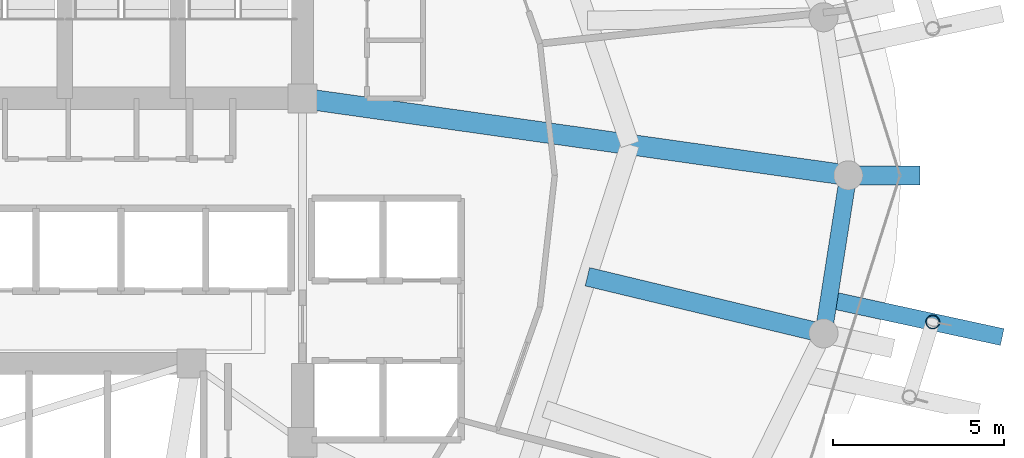
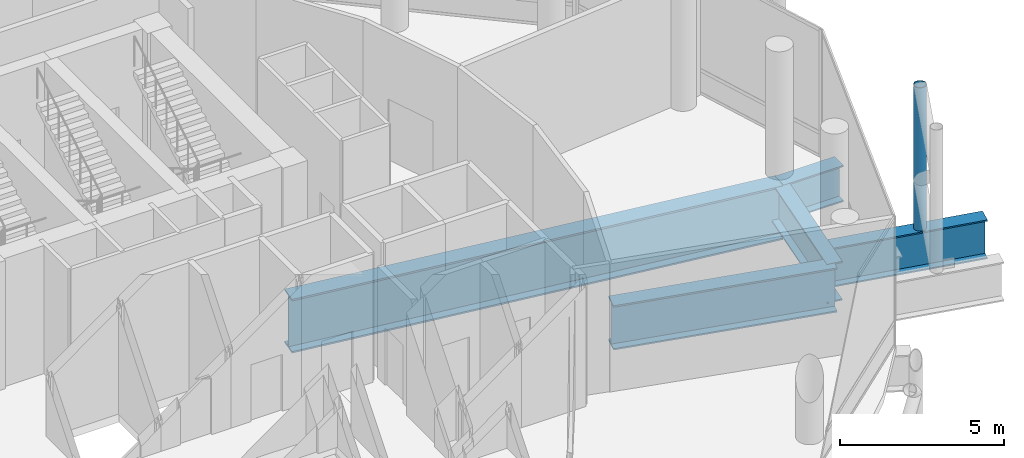
# One storey, part 13 of 31: 5 beams, 1 member.
"""IFC4 building model written with IfcOpenShell, lengths in metres."""

import ifcopenshell
import ifcopenshell.guid

model = None  # the IFC model being written
_history = None  # IfcOwnerHistory: only IFC2X3 demands one
_inside = {}  # id of a spatial element -> (the spatial element, [elements in it])
_under = {}  # id of a project, library or spatial element -> (it, [spatial elements below it])
_declared = {}  # id of a project -> (the project, [libraries it declares])
_typed = {}  # id of a type object -> (the type object, [elements of that type])
_made_of = {}  # id of a material, layer set ... -> (it, [elements and type objects made of it])


def new_model(schema):
    """Start an empty IFC model of exactly this schema.

    Asked for "IFC4X3", IfcOpenShell would pick the latest addendum, in which some entities
    have other attributes; the version numbers below select the first issue.
    IFC2X3 requires an IfcOwnerHistory on every rooted entity: one is made here for all.
    """
    global model, _history
    if schema == "IFC4X3":
        model = ifcopenshell.file(schema_version=(4, 3, 0, 0))
    else:
        model = ifcopenshell.file(schema=schema)
    _inside.clear()
    _under.clear()
    _declared.clear()
    _typed.clear()
    _made_of.clear()
    _history = None
    if model.schema == "IFC2X3":
        org = make("IfcOrganization", Name="unknown")
        user = make(
            "IfcPersonAndOrganization",
            ThePerson=make("IfcPerson", FamilyName="unknown"),
            TheOrganization=org,
        )
        app = make(
            "IfcApplication",
            ApplicationDeveloper=org,
            Version="unknown",
            ApplicationFullName="unknown",
            ApplicationIdentifier="unknown",
        )
        _history = make(
            "IfcOwnerHistory",
            OwningUser=user,
            OwningApplication=app,
            ChangeAction="ADDED",
            CreationDate=0,
        )
    return model


def make(cls, **values):
    """One entity of the class cls with the attributes given. An attribute that is None is left unset."""
    return model.create_entity(
        cls, **{name: value for name, value in values.items() if value is not None}
    )


def rooted(cls, **values):
    """An entity with a GlobalId (a new one), such as an element, a storey or a relation."""
    return make(cls, GlobalId=ifcopenshell.guid.new(), OwnerHistory=_history, **values)


def si_unit(unit_type, name, prefix=None):
    """IfcSIUnit, for example si_unit("LENGTHUNIT", "METRE", prefix="MILLI")."""
    return make("IfcSIUnit", UnitType=unit_type, Prefix=prefix, Name=name)


def assignment(units):
    """IfcUnitAssignment: the units of a project."""
    return None if units is None else make("IfcUnitAssignment", Units=units)


def point(xyz):
    """IfcCartesianPoint."""
    return None if xyz is None else make("IfcCartesianPoint", Coordinates=xyz)


def direction(xyz):
    """IfcDirection."""
    return None if xyz is None else make("IfcDirection", DirectionRatios=xyz)


def frame(location, z_axis=None, x_axis=None):
    """IfcAxis2Placement3D, a coordinate frame: its origin and axes. An axis left out is left unset."""
    return make(
        "IfcAxis2Placement3D",
        Location=point(location),
        Axis=direction(z_axis),
        RefDirection=direction(x_axis),
    )


def frame_2d(location, x_axis=None):
    """IfcAxis2Placement2D, a coordinate frame in the plane: its origin and x axis."""
    return make(
        "IfcAxis2Placement2D", Location=point(location), RefDirection=direction(x_axis)
    )


def origin():
    """The frame at (0, 0, 0) with its axes left unset."""
    return frame((0.0, 0.0, 0.0))


def origin_2d():
    """The frame at (0, 0) in the plane with its x axis left unset."""
    return frame_2d((0.0, 0.0))


def place(relative_to, where):
    """IfcLocalPlacement: puts the frame where relative to a parent placement (None: the world)."""
    return make(
        "IfcLocalPlacement", PlacementRelTo=relative_to, RelativePlacement=where
    )


def context(
    kind, dimensions, precision=None, world=None, true_north=None, identifier=None
):
    """IfcGeometricRepresentationContext, for example the 3D "Model" context."""
    return make(
        "IfcGeometricRepresentationContext",
        ContextIdentifier=identifier,
        ContextType=kind,
        CoordinateSpaceDimension=dimensions,
        Precision=precision,
        WorldCoordinateSystem=world,
        TrueNorth=true_north,
    )


def subcontext(parent, identifier, kind, view, scale=None):
    """IfcGeometricRepresentationSubContext, for example "Body" below "Model"."""
    return make(
        "IfcGeometricRepresentationSubContext",
        ContextIdentifier=identifier,
        ContextType=kind,
        ParentContext=parent,
        TargetScale=scale,
        TargetView=view,
    )


def project(units=None, contexts=None):
    """IfcProject with its units and contexts."""
    return rooted(
        "IfcProject",
        Name="project",
        RepresentationContexts=contexts,
        UnitsInContext=assignment(units),
    )


def spatial(cls, under=None, at=None, **own):
    """A site, building, storey or space (cls), placed at a placement, below another one or the project."""
    s = rooted(cls, ObjectPlacement=at, **own)
    if under is not None:
        _under.setdefault(under.id(), (under, []))[1].append(s)
    return s


def profile(cls, at=None, kind="AREA", **sizes):
    """A parametric profile (cls). Its sizes go by their IFC names, for example OverallWidth=200.0."""
    return make(cls, ProfileType=kind, Position=at, **sizes)


def hollow_circle(**sizes):
    """IfcCircleHollowProfileDef."""
    return profile("IfcCircleHollowProfileDef", **sizes)


def i_section(**sizes):
    """IfcIShapeProfileDef."""
    return profile("IfcIShapeProfileDef", **sizes)


def extrude(swept, where, along, depth):
    """IfcExtrudedAreaSolid: the profile swept, set in the frame where, extruded along a direction by depth."""
    return make(
        "IfcExtrudedAreaSolid",
        SweptArea=swept,
        Position=where,
        ExtrudedDirection=direction(along),
        Depth=depth,
    )


def shape(context_of_items, identifier, shape_type, items):
    """IfcShapeRepresentation: the items that make up one representation, for example the "Body"."""
    return make(
        "IfcShapeRepresentation",
        ContextOfItems=context_of_items,
        RepresentationIdentifier=identifier,
        RepresentationType=shape_type,
        Items=items,
    )


def material(Name=None, Category=None):
    """IfcMaterial."""
    return make("IfcMaterial", Name=Name, Category=Category)


def material_profile(
    of_material, cross_section, Name=None, Category=None, Priority=None
):
    """IfcMaterialProfile: a cross section and its material."""
    return make(
        "IfcMaterialProfile",
        Name=Name,
        Material=of_material,
        Profile=cross_section,
        Priority=Priority,
        Category=Category,
    )


def profile_set(profiles, Name=None, composite=None):
    """IfcMaterialProfileSet."""
    return make(
        "IfcMaterialProfileSet",
        Name=Name,
        MaterialProfiles=profiles,
        CompositeProfile=composite,
    )


def made_of(thing, what):
    """Note that an element or type object is made of a material, layer set ...; save() writes the relation."""
    if what is not None:
        _made_of.setdefault(what.id(), (what, []))[1].append(thing)
    return thing


def type_object(cls, material=None, **own):
    """A type object (cls), such as IfcWallType, which elements share."""
    return made_of(rooted(cls, **own), material)


def element(
    cls,
    number,
    at=None,
    inside=None,
    cuts=None,
    type_object=None,
    material=None,
    context=None,
    identifier="Body",
    shape_type=None,
    held_by="IfcProductDefinitionShape",
    body=None,
    shapes=None,
    **own,
):
    """One element of the class cls, such as IfcWall. Its Tag is "e" and its number.

    at: its placement. inside: the storey or other place that contains it. cuts: it is an
    opening in that element (IfcRelVoidsElement). A single representation is given by context,
    identifier, shape_type and body (its items); several are given by shapes. held_by: the class
    of the entity that holds the representations. save() writes the other relations.
    """
    e = rooted(cls, Tag="e%d" % number, ObjectPlacement=at, **own)
    if body is not None:
        shapes = [shape(context, identifier, shape_type, body)]
    if shapes is not None:
        e.Representation = make(held_by, Representations=shapes)
    if inside is not None:
        _inside.setdefault(inside.id(), (inside, []))[1].append(e)
    if cuts is not None:
        rooted(
            "IfcRelVoidsElement", RelatingBuildingElement=cuts, RelatedOpeningElement=e
        )
    if type_object is not None:
        _typed.setdefault(type_object.id(), (type_object, []))[1].append(e)
    return made_of(e, material)


def aggregate(whole, parts):
    """IfcRelAggregates: a whole, such as a stair, and the parts it consists of."""
    return rooted("IfcRelAggregates", RelatingObject=whole, RelatedObjects=parts)


def save(model, path):
    """Write the relations noted so far, then the file.

    IfcRelAggregates (storeys below a building ...), IfcRelContainedInSpatialStructure (elements
    in a storey), IfcRelDefinesByType, IfcRelAssociatesMaterial and IfcRelDeclares: one each for
    every whole, place, type object, material and project.
    """
    for whole, parts in _under.values():
        aggregate(whole, parts)
    for where, things in _inside.values():
        rooted(
            "IfcRelContainedInSpatialStructure",
            RelatedElements=things,
            RelatingStructure=where,
        )
    for kind, things in _typed.values():
        rooted("IfcRelDefinesByType", RelatedObjects=things, RelatingType=kind)
    for what, things in _made_of.values():
        rooted("IfcRelAssociatesMaterial", RelatedObjects=things, RelatingMaterial=what)
    for by, libraries in _declared.values():
        rooted("IfcRelDeclares", RelatingContext=by, RelatedDefinitions=libraries)
    model.write(path)


model = new_model("IFC4")

# Units and contexts
model_context = context("Model", 3, precision=1e-05, world=origin(), true_north=direction((0.0, 1.0)))
body_context = subcontext(model_context, "Body", "Model", "MODEL_VIEW")
ifc_project = project(units=[si_unit("LENGTHUNIT", "METRE"), si_unit("AREAUNIT", "SQUARE_METRE"), si_unit("VOLUMEUNIT", "CUBIC_METRE"), si_unit("PLANEANGLEUNIT", "RADIAN"), si_unit("MASSUNIT", "GRAM", prefix="KILO")], contexts=[model_context])

# Site, building, storey
site_placement = place(None, origin())
site = spatial("IfcSite", under=ifc_project, at=site_placement, CompositionType="ELEMENT")
building_placement = place(site_placement, origin())
building = spatial("IfcBuilding", under=site, at=building_placement, Name="Nuhasar Tower", CompositionType="ELEMENT")
storey_placement = place(building_placement, frame((0.0, 0.0, 203.14990234375)))
storey = spatial("IfcBuildingStorey", under=building, at=storey_placement, Name="L49", CompositionType="ELEMENT", Elevation=203.14990234375)

# Beams
ifc_material = material(Name="Steel S460", Category="steel")
ifc_material_profile_1 = material_profile(ifc_material, i_section(OverallWidth=0.550048828125, OverallDepth=1.35009765625, WebThickness=0.028076171875, FlangeThickness=0.050048828125, at=origin_2d()), Name="PG1350X550")
ifc_profile_set_1 = profile_set([ifc_material_profile_1], Name="Steel S460")
beam_type_1 = type_object("IfcBeamType", Name="BM-XFER-PG1350", PredefinedType="USERDEFINED", material=ifc_profile_set_1)
beam_1_placement = place(storey_placement, frame((60.25, 26.800048828125, -0.994873046875), z_axis=(1.0, 0.0, 0.0), x_axis=(0.0, 1.0, 0.0)))
element("IfcBeam", 1, at=beam_1_placement, inside=storey, type_object=beam_type_1, Name="L49 Radial Step Transfer Girder 04", ObjectType="GIRDER", PredefinedType="USERDEFINED", context=body_context, shape_type="SweptSolid", body=[
    extrude(i_section(OverallWidth=0.550048828125, OverallDepth=1.35009765625, WebThickness=0.028076171875, FlangeThickness=0.050048828125, at=origin_2d()), origin(), (0.0, 0.0, 1.0), 2.10009765625),
])
ifc_material_profile_2 = material_profile(ifc_material, i_section(OverallWidth=0.5, OverallDepth=1.449951171875, WebThickness=0.028076171875, FlangeThickness=0.050048828125, at=origin_2d()), Name="PG1450X500")
ifc_profile_set_2 = profile_set([ifc_material_profile_2], Name="Steel S460")
beam_type_2 = type_object("IfcBeamType", Name="BM-XFER-PG1450", PredefinedType="USERDEFINED", material=ifc_profile_set_2)
beam_2_placement = place(storey_placement, frame((59.52587890625, 22.179931640625, -1.044921875), z_axis=(0.154841886404, 0.987939264436, 0.0), x_axis=(-0.987939264436, 0.154841886404, 0.0)))
element("IfcBeam", 2, at=beam_2_placement, inside=storey, type_object=beam_type_2, Name="L49 Perimeter Ring Spandrel 24", ObjectType="GIRDER", PredefinedType="USERDEFINED", context=body_context, shape_type="SweptSolid", body=[
    extrude(i_section(OverallWidth=0.5, OverallDepth=1.449951171875, WebThickness=0.028076171875, FlangeThickness=0.050048828125, at=origin_2d()), origin(), (0.0, 0.0, 1.0), 4.676513671875),
])
beam_3_placement = place(storey_placement, frame((59.680908203125, 23.172119140625, -1.044921875), z_axis=(0.977312581793, -0.211802071448, 0.0), x_axis=(0.211802071448, 0.977312581793, 0.0)))
element("IfcBeam", 3, at=beam_3_placement, inside=storey, type_object=beam_type_2, Name="L49 Exoskeleton Step Transfer Girder 24", ObjectType="GIRDER", PredefinedType="USERDEFINED", context=body_context, shape_type="SweptSolid", body=[
    extrude(i_section(OverallWidth=0.5, OverallDepth=1.449951171875, WebThickness=0.028076171875, FlangeThickness=0.050048828125, at=origin_2d()), origin(), (0.0, 0.0, 1.0), 5.184814453125),
])
ifc_material_profile_3 = material_profile(ifc_material, i_section(OverallWidth=0.550048828125, OverallDepth=1.64990234375, WebThickness=0.031982421875, FlangeThickness=0.054931640625, at=origin_2d()), Name="PG1650X550")
ifc_profile_set_3 = profile_set([ifc_material_profile_3], Name="Steel S460")
beam_type_3 = type_object("IfcBeamType", Name="BM-XFER-PG1650", PredefinedType="USERDEFINED", material=ifc_profile_set_3)
beam_4_placement = place(storey_placement, frame((52.625, 23.8359375, -1.14501953125), z_axis=(0.972393859227, -0.233345628923, 0.0), x_axis=(0.233345628923, 0.972393859227, 0.0)))
element("IfcBeam", 4, at=beam_4_placement, inside=storey, type_object=beam_type_3, Name="L49 Inner Column Transfer Girder 24", ObjectType="GIRDER", PredefinedType="USERDEFINED", context=body_context, shape_type="SweptSolid", body=[
    extrude(i_section(OverallWidth=0.550048828125, OverallDepth=1.64990234375, WebThickness=0.031982421875, FlangeThickness=0.054931640625, at=origin_2d()), origin(), (0.0, 0.0, 1.0), 7.0966796875),
])
ifc_material_profile_4 = material_profile(ifc_material, i_section(OverallWidth=0.60009765625, OverallDepth=2.0, WebThickness=0.035888671875, FlangeThickness=0.06005859375, at=origin_2d()), Name="PG2000X600")
ifc_profile_set_4 = profile_set([ifc_material_profile_4], Name="Steel S460")
beam_type_4 = type_object("IfcBeamType", Name="BM-XFER-PG2000", PredefinedType="USERDEFINED", material=ifc_profile_set_4)
beam_5_placement = place(storey_placement, frame((44.300048828125, 29.050048828125, -1.31982421875), z_axis=(0.990196233464, -0.139683281866, 0.0), x_axis=(0.139683281866, 0.990196233464, 0.0)))
element("IfcBeam", 5, at=beam_5_placement, inside=storey, type_object=beam_type_4, Name="L49 Radial Floor Girder 04", ObjectType="GIRDER", PredefinedType="USERDEFINED", context=body_context, shape_type="SweptSolid", body=[
    extrude(i_section(OverallWidth=0.60009765625, OverallDepth=2.0, WebThickness=0.035888671875, FlangeThickness=0.06005859375, at=origin_2d()), origin(), (0.0, 0.0, 1.0), 16.10791015625),
])

# Member
ifc_material_profile_5 = material_profile(ifc_material, hollow_circle(Radius=0.203125, WallThickness=0.01904296875, at=origin_2d()), Name="HSS406.4X19.1")
ifc_profile_set_5 = profile_set([ifc_material_profile_5], Name="Steel S460")
member_type = type_object("IfcMemberType", Name="EXO-BRONZE-406", PredefinedType="BRACE", material=ifc_profile_set_5)
member_placement = place(storey_placement, frame((62.718017578125, 22.513916015625, -0.31982421875), z_axis=(0.0, 0.0, 1.0), x_axis=(1.0, 0.0, 0.0)))
element("IfcMember", 6, at=member_placement, inside=storey, type_object=member_type, Name="L49 Exoskeleton Chord Column EC-12B", PredefinedType="BRACE", context=body_context, shape_type="SweptSolid", body=[
    extrude(hollow_circle(Radius=0.203125, WallThickness=0.01904296875, at=origin_2d()), origin(), (0.0, 0.0, 1.0), 5.31982421875),
])

save(model, "model.ifc")
